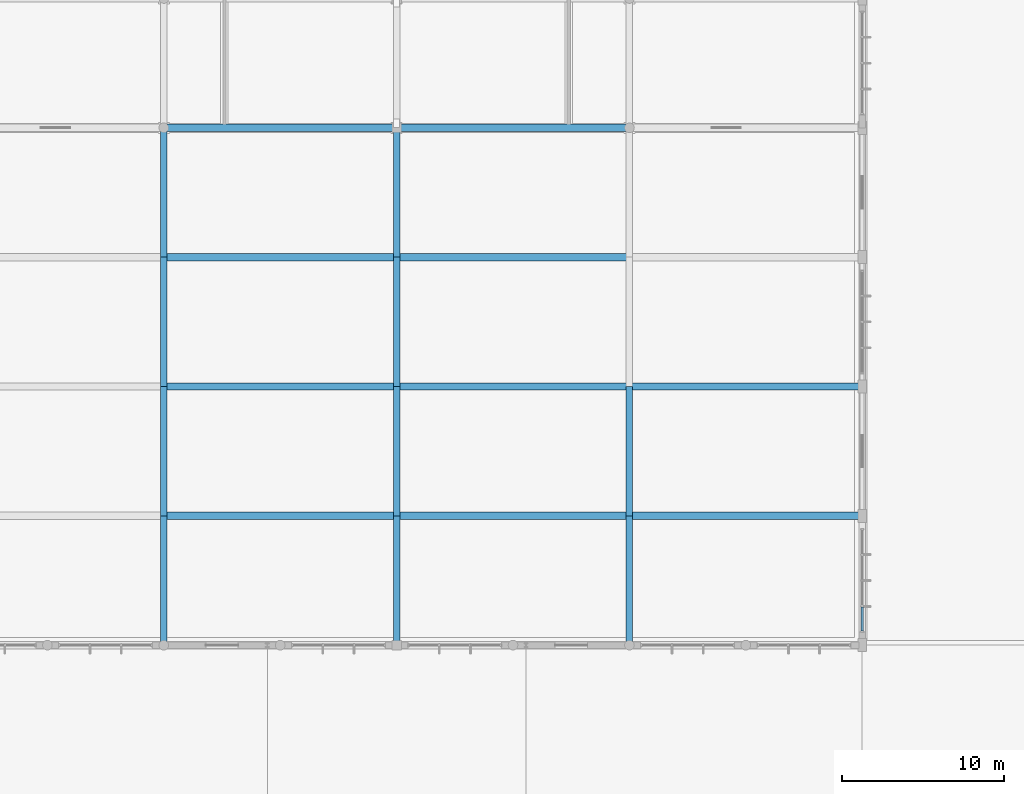
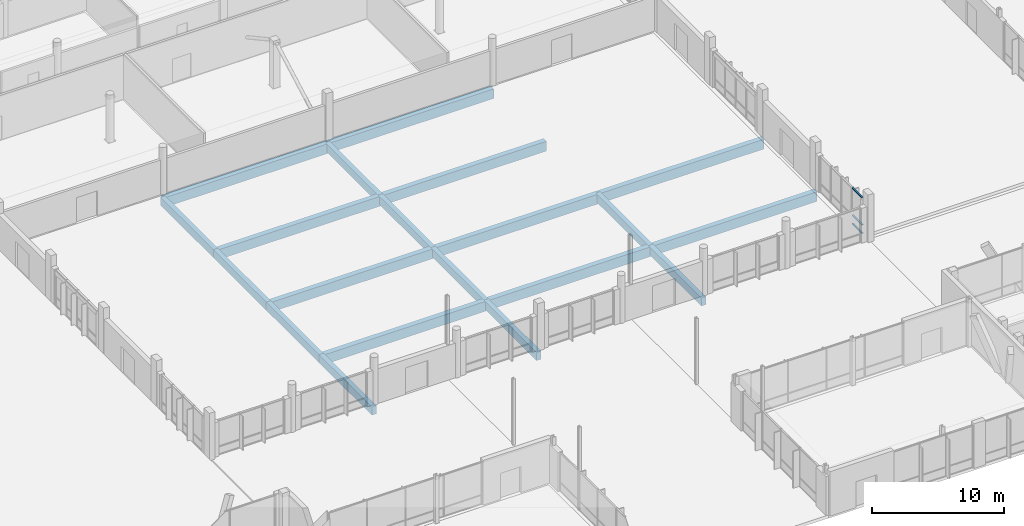
# One storey, part 79 of 233: 20 beams, 3 members, 1 element without a shape of its own.
"""IFC4 building model written with IfcOpenShell, lengths in metres."""

from ifc_helpers import new_model, si_unit, direction, frame, origin, origin_2d, place, context, subcontext, project, spatial, rectangle, hollow_rectangle, extrude, material, material_profile, profile_set, type_object, element, aggregate, save


model = new_model("IFC4")

# Units and contexts
model_context = context("Model", 3, precision=1e-05, world=origin(), true_north=direction((0.0, 1.0)))
body_context = subcontext(model_context, "Body", "Model", "MODEL_VIEW")
ifc_project = project(units=[si_unit("LENGTHUNIT", "METRE"), si_unit("AREAUNIT", "SQUARE_METRE"), si_unit("VOLUMEUNIT", "CUBIC_METRE"), si_unit("PLANEANGLEUNIT", "RADIAN"), si_unit("MASSUNIT", "GRAM", prefix="KILO")], contexts=[model_context])

# Site, building, storey
site_placement = place(None, origin())
site = spatial("IfcSite", under=ifc_project, at=site_placement, CompositionType="ELEMENT")
building_placement = place(site_placement, origin())
building = spatial("IfcBuilding", under=site, at=building_placement, Name="Zavelmont Quarter", CompositionType="ELEMENT")
storey_placement = place(building_placement, origin())
storey = spatial("IfcBuildingStorey", under=building, at=storey_placement, Name="L00", CompositionType="ELEMENT", Elevation=0.0)

# Beams
ifc_material_1 = material(Name="Concrete C40/50", Category="concrete")
ifc_material_profile_1 = material_profile(ifc_material_1, rectangle(XDim=0.39990234375, YDim=0.75, at=origin_2d()), Name="RC400X750")
ifc_profile_set_1 = profile_set([ifc_material_profile_1], Name="Concrete C40/50")
beam_type_1 = type_object("IfcBeamType", Name="BM05", PredefinedType="BEAM", material=ifc_profile_set_1)
for number, where, z_axis, x_axis, name in (
    (1, (69.60009765625, 30.0, -0.695068359375), (0.0, 1.0, 0.0), (-1.0, 0.0, 0.0), "L00 beam BM05 11/F to 11/G"),
    (2, (69.60009765625, 38.0, -0.695068359375), (0.0, 1.0, 0.0), (-1.0, 0.0, 0.0), "L00 beam BM05 11/G to 11/H"),
    (3, (69.60009765625, 46.0, -0.695068359375), (0.0, 1.0, 0.0), (-1.0, 0.0, 0.0), "L00 beam BM05 11/H to 11/J"),
    (4, (69.60009765625, 54.0, -0.695068359375), (0.0, 1.0, 0.0), (-1.0, 0.0, 0.0), "L00 beam BM05 11/J to 11/K"),
    (5, (84.0, 30.0, -0.695068359375), (0.0, 1.0, 0.0), (-1.0, 0.0, 0.0), "L00 beam BM05 13/F to 13/G"),
    (6, (84.0, 38.0, -0.695068359375), (0.0, 1.0, 0.0), (-1.0, 0.0, 0.0), "L00 beam BM05 13/G to 13/H"),
    (7, (84.0, 46.0, -0.695068359375), (0.0, 1.0, 0.0), (-1.0, 0.0, 0.0), "L00 beam BM05 13/H to 13/J"),
    (8, (84.0, 54.0, -0.695068359375), (0.0, 1.0, 0.0), (-1.0, 0.0, 0.0), "L00 beam BM05 13/J to 13/K"),
    (9, (98.39990234375, 30.0, -0.695068359375), (0.0, 1.0, 0.0), (-1.0, 0.0, 0.0), "L00 beam BM05 15/F to 15/G"),
    (10, (98.39990234375, 38.0, -0.695068359375), (0.0, 1.0, 0.0), (-1.0, 0.0, 0.0), "L00 beam BM05 15/G to 15/H"),
):
    element("IfcBeam", number, at=place(storey_placement, frame(where, z_axis=z_axis, x_axis=x_axis)), inside=storey, type_object=beam_type_1, Name=name, PredefinedType="BEAM", context=body_context, shape_type="SweptSolid", body=[
        extrude(rectangle(XDim=0.39990234375, YDim=0.75, at=origin_2d()), origin(), (0.0, 0.0, 1.0), 8.0),
    ])
ifc_material_profile_2 = material_profile(ifc_material_1, rectangle(XDim=0.449951171875, YDim=0.89990234375, at=origin_2d()), Name="RC450X900")
ifc_profile_set_2 = profile_set([ifc_material_profile_2], Name="Concrete C40/50")
beam_type_2 = type_object("IfcBeamType", Name="BM06", PredefinedType="BEAM", material=ifc_profile_set_2)
for number, where, z_axis, x_axis, name in (
    (11, (69.60009765625, 38.0, -0.77001953125), (1.0, 0.0, 0.0), (0.0, 1.0, 0.0), "L00 beam BM06 11/G to 13/G"),
    (12, (84.0, 38.0, -0.77001953125), (1.0, 0.0, 0.0), (0.0, 1.0, 0.0), "L00 beam BM06 13/G to 15/G"),
):
    element("IfcBeam", number, at=place(storey_placement, frame(where, z_axis=z_axis, x_axis=x_axis)), inside=storey, type_object=beam_type_2, Name=name, PredefinedType="BEAM", context=body_context, shape_type="SweptSolid", body=[
        extrude(rectangle(XDim=0.449951171875, YDim=0.89990234375, at=origin_2d()), origin(), (0.0, 0.0, 1.0), 14.39990234375),
    ])
beam_1_placement = place(storey_placement, frame((98.39990234375, 38.0, -0.77001953125), z_axis=(1.0, 0.0, 0.0), x_axis=(0.0, 1.0, 0.0)))
element("IfcBeam", 13, at=beam_1_placement, inside=storey, type_object=beam_type_2, Name="L00 beam BM06 15/G to 17/G", PredefinedType="BEAM", context=body_context, shape_type="SweptSolid", body=[
    extrude(rectangle(XDim=0.449951171875, YDim=0.89990234375, at=origin_2d()), origin(), (0.0, 0.0, 1.0), 14.400146484375),
])
for number, where, z_axis, x_axis, name in (
    (14, (69.60009765625, 46.0, -0.77001953125), (1.0, 0.0, 0.0), (0.0, 1.0, 0.0), "L00 beam BM06 11/H to 13/H"),
    (15, (84.0, 46.0, -0.77001953125), (1.0, 0.0, 0.0), (0.0, 1.0, 0.0), "L00 beam BM06 13/H to 15/H"),
):
    element("IfcBeam", number, at=place(storey_placement, frame(where, z_axis=z_axis, x_axis=x_axis)), inside=storey, type_object=beam_type_2, Name=name, PredefinedType="BEAM", context=body_context, shape_type="SweptSolid", body=[
        extrude(rectangle(XDim=0.449951171875, YDim=0.89990234375, at=origin_2d()), origin(), (0.0, 0.0, 1.0), 14.39990234375),
    ])
beam_2_placement = place(storey_placement, frame((98.39990234375, 46.0, -0.77001953125), z_axis=(1.0, 0.0, 0.0), x_axis=(0.0, 1.0, 0.0)))
element("IfcBeam", 16, at=beam_2_placement, inside=storey, type_object=beam_type_2, Name="L00 beam BM06 15/H to 17/H", PredefinedType="BEAM", context=body_context, shape_type="SweptSolid", body=[
    extrude(rectangle(XDim=0.449951171875, YDim=0.89990234375, at=origin_2d()), origin(), (0.0, 0.0, 1.0), 14.400146484375),
])
for number, where, z_axis, x_axis, name in (
    (17, (69.60009765625, 54.0, -0.77001953125), (1.0, 0.0, 0.0), (0.0, 1.0, 0.0), "L00 beam BM06 11/J to 13/J"),
    (18, (84.0, 54.0, -0.77001953125), (1.0, 0.0, 0.0), (0.0, 1.0, 0.0), "L00 beam BM06 13/J to 15/J"),
    (19, (69.60009765625, 62.0, -0.77001953125), (1.0, 0.0, 0.0), (0.0, 1.0, 0.0), "L00 beam BM06 11/K to 13/K"),
    (20, (84.0, 62.0, -0.77001953125), (1.0, 0.0, 0.0), (0.0, 1.0, 0.0), "L00 beam BM06 13/K to 15/K"),
):
    element("IfcBeam", number, at=place(storey_placement, frame(where, z_axis=z_axis, x_axis=x_axis)), inside=storey, type_object=beam_type_2, Name=name, PredefinedType="BEAM", context=body_context, shape_type="SweptSolid", body=[
        extrude(rectangle(XDim=0.449951171875, YDim=0.89990234375, at=origin_2d()), origin(), (0.0, 0.0, 1.0), 14.39990234375),
    ])

# Curtain wall, members
ifc_material_2 = material(Name="Thermally broken aluminium and double low-E safety glazing", Category="aluminium")
curtain_wall_type = type_object("IfcCurtainWallType", Name="CW-640X336", PredefinedType="NOTDEFINED", material=ifc_material_2)
curtain_wall_placement = place(storey_placement, origin())
curtain_wall = element("IfcCurtainWall", 21, at=curtain_wall_placement, inside=storey, type_object=curtain_wall_type, Name="L00 unitised curtain wall CW-640X336", PredefinedType="NOTDEFINED")
ifc_material_3 = material(Name="Powder-coated aluminium EN AW-6063-T6", Category="aluminium")
ifc_material_profile_3 = material_profile(ifc_material_3, hollow_rectangle(XDim=0.14990234375, YDim=0.070068359375, WallThickness=0.00439453125, at=origin_2d()), Name="CWT70X150")
ifc_profile_set_3 = profile_set([ifc_material_profile_3], Name="Powder-coated aluminium EN AW-6063-T6")
member_type = type_object("IfcMemberType", Name="CWT02", PredefinedType="NOTDEFINED", material=ifc_profile_set_3)
member_1_placement = place(storey_placement, frame((112.800048828125, 30.8701171875, 0.034912109375), z_axis=(0.0, 1.0, 0.0), x_axis=(-1.0, 0.0, 0.0)))
member_1 = element("IfcMember", 22, at=member_1_placement, type_object=member_type, Name="CW-640X336 transom 1.1", ObjectType="TRANSOM", PredefinedType="USERDEFINED", context=body_context, shape_type="SweptSolid", body=[
    extrude(hollow_rectangle(XDim=0.14990234375, YDim=0.070068359375, WallThickness=0.00439453125, at=origin_2d()), origin(), (0.0, 0.0, 1.0), 1.494873046875),
])
member_2_placement = place(storey_placement, frame((112.800048828125, 30.8701171875, 0.805908203125), z_axis=(0.0, 1.0, 0.0), x_axis=(-1.0, 0.0, 0.0)))
member_2 = element("IfcMember", 23, at=member_2_placement, type_object=member_type, Name="CW-640X336 transom 1.2", ObjectType="TRANSOM", PredefinedType="USERDEFINED", context=body_context, shape_type="SweptSolid", body=[
    extrude(hollow_rectangle(XDim=0.14990234375, YDim=0.070068359375, WallThickness=0.00439453125, at=origin_2d()), origin(), (0.0, 0.0, 1.0), 1.494873046875),
])
member_3_placement = place(storey_placement, frame((112.800048828125, 30.8701171875, 3.324951171875), z_axis=(0.0, 1.0, 0.0), x_axis=(-1.0, 0.0, 0.0)))
member_3 = element("IfcMember", 24, at=member_3_placement, type_object=member_type, Name="CW-640X336 transom 1.3", ObjectType="TRANSOM", PredefinedType="USERDEFINED", context=body_context, shape_type="SweptSolid", body=[
    extrude(hollow_rectangle(XDim=0.14990234375, YDim=0.070068359375, WallThickness=0.00439453125, at=origin_2d()), origin(), (0.0, 0.0, 1.0), 1.494873046875),
])
aggregate(curtain_wall, [member_1, member_2, member_3])

save(model, "model.ifc")
